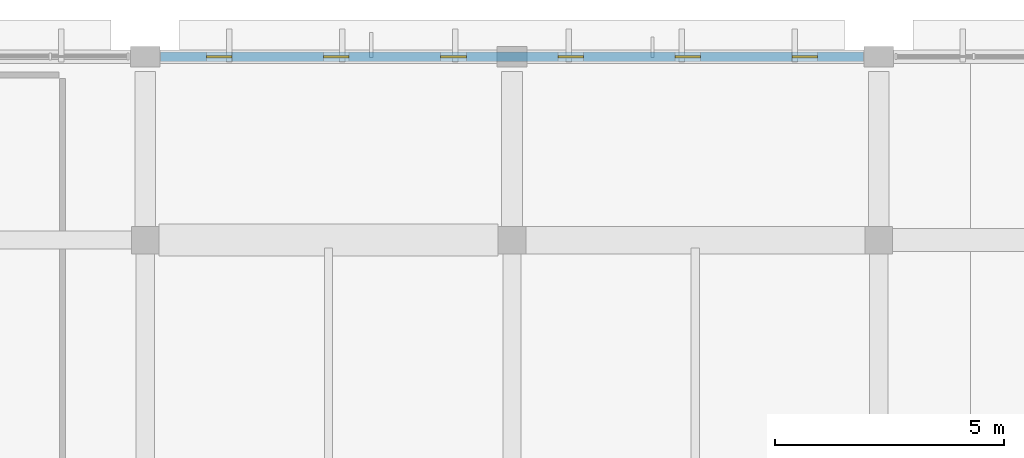
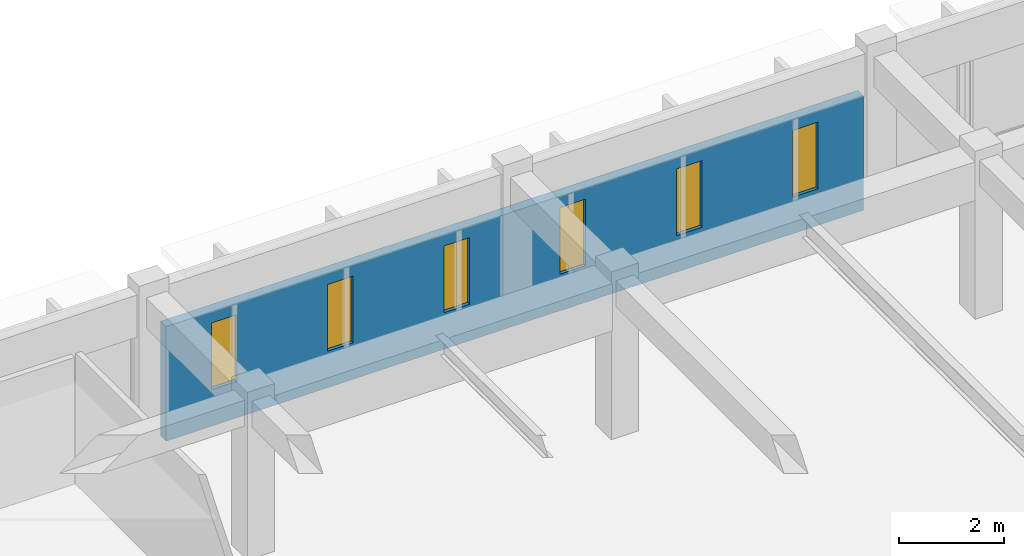
# One storey, part 68 of 98: 6 windows, 1 wall, 6 openings.
"""IFC4 building model written with IfcOpenShell, lengths in metres."""

import ifcopenshell
import ifcopenshell.guid

model = None  # the IFC model being written
_history = None  # IfcOwnerHistory: only IFC2X3 demands one
_inside = {}  # id of a spatial element -> (the spatial element, [elements in it])
_under = {}  # id of a project, library or spatial element -> (it, [spatial elements below it])
_declared = {}  # id of a project -> (the project, [libraries it declares])
_typed = {}  # id of a type object -> (the type object, [elements of that type])
_made_of = {}  # id of a material, layer set ... -> (it, [elements and type objects made of it])


def new_model(schema):
    """Start an empty IFC model of exactly this schema.

    Asked for "IFC4X3", IfcOpenShell would pick the latest addendum, in which some entities
    have other attributes; the version numbers below select the first issue.
    IFC2X3 requires an IfcOwnerHistory on every rooted entity: one is made here for all.
    """
    global model, _history
    if schema == "IFC4X3":
        model = ifcopenshell.file(schema_version=(4, 3, 0, 0))
    else:
        model = ifcopenshell.file(schema=schema)
    _inside.clear()
    _under.clear()
    _declared.clear()
    _typed.clear()
    _made_of.clear()
    _history = None
    if model.schema == "IFC2X3":
        org = make("IfcOrganization", Name="unknown")
        user = make(
            "IfcPersonAndOrganization",
            ThePerson=make("IfcPerson", FamilyName="unknown"),
            TheOrganization=org,
        )
        app = make(
            "IfcApplication",
            ApplicationDeveloper=org,
            Version="unknown",
            ApplicationFullName="unknown",
            ApplicationIdentifier="unknown",
        )
        _history = make(
            "IfcOwnerHistory",
            OwningUser=user,
            OwningApplication=app,
            ChangeAction="ADDED",
            CreationDate=0,
        )
    return model


def make(cls, **values):
    """One entity of the class cls with the attributes given. An attribute that is None is left unset."""
    return model.create_entity(
        cls, **{name: value for name, value in values.items() if value is not None}
    )


def rooted(cls, **values):
    """An entity with a GlobalId (a new one), such as an element, a storey or a relation."""
    return make(cls, GlobalId=ifcopenshell.guid.new(), OwnerHistory=_history, **values)


def si_unit(unit_type, name, prefix=None):
    """IfcSIUnit, for example si_unit("LENGTHUNIT", "METRE", prefix="MILLI")."""
    return make("IfcSIUnit", UnitType=unit_type, Prefix=prefix, Name=name)


def assignment(units):
    """IfcUnitAssignment: the units of a project."""
    return None if units is None else make("IfcUnitAssignment", Units=units)


def point(xyz):
    """IfcCartesianPoint."""
    return None if xyz is None else make("IfcCartesianPoint", Coordinates=xyz)


def direction(xyz):
    """IfcDirection."""
    return None if xyz is None else make("IfcDirection", DirectionRatios=xyz)


def frame(location, z_axis=None, x_axis=None):
    """IfcAxis2Placement3D, a coordinate frame: its origin and axes. An axis left out is left unset."""
    return make(
        "IfcAxis2Placement3D",
        Location=point(location),
        Axis=direction(z_axis),
        RefDirection=direction(x_axis),
    )


def frame_2d(location, x_axis=None):
    """IfcAxis2Placement2D, a coordinate frame in the plane: its origin and x axis."""
    return make(
        "IfcAxis2Placement2D", Location=point(location), RefDirection=direction(x_axis)
    )


def origin():
    """The frame at (0, 0, 0) with its axes left unset."""
    return frame((0.0, 0.0, 0.0))


def place(relative_to, where):
    """IfcLocalPlacement: puts the frame where relative to a parent placement (None: the world)."""
    return make(
        "IfcLocalPlacement", PlacementRelTo=relative_to, RelativePlacement=where
    )


def context(
    kind, dimensions, precision=None, world=None, true_north=None, identifier=None
):
    """IfcGeometricRepresentationContext, for example the 3D "Model" context."""
    return make(
        "IfcGeometricRepresentationContext",
        ContextIdentifier=identifier,
        ContextType=kind,
        CoordinateSpaceDimension=dimensions,
        Precision=precision,
        WorldCoordinateSystem=world,
        TrueNorth=true_north,
    )


def subcontext(parent, identifier, kind, view, scale=None):
    """IfcGeometricRepresentationSubContext, for example "Body" below "Model"."""
    return make(
        "IfcGeometricRepresentationSubContext",
        ContextIdentifier=identifier,
        ContextType=kind,
        ParentContext=parent,
        TargetScale=scale,
        TargetView=view,
    )


def project(units=None, contexts=None):
    """IfcProject with its units and contexts."""
    return rooted(
        "IfcProject",
        Name="project",
        RepresentationContexts=contexts,
        UnitsInContext=assignment(units),
    )


def spatial(cls, under=None, at=None, **own):
    """A site, building, storey or space (cls), placed at a placement, below another one or the project."""
    s = rooted(cls, ObjectPlacement=at, **own)
    if under is not None:
        _under.setdefault(under.id(), (under, []))[1].append(s)
    return s


def profile(cls, at=None, kind="AREA", **sizes):
    """A parametric profile (cls). Its sizes go by their IFC names, for example OverallWidth=200.0."""
    return make(cls, ProfileType=kind, Position=at, **sizes)


def rectangle(**sizes):
    """IfcRectangleProfileDef."""
    return profile("IfcRectangleProfileDef", **sizes)


def extrude(swept, where, along, depth):
    """IfcExtrudedAreaSolid: the profile swept, set in the frame where, extruded along a direction by depth."""
    return make(
        "IfcExtrudedAreaSolid",
        SweptArea=swept,
        Position=where,
        ExtrudedDirection=direction(along),
        Depth=depth,
    )


def shape(context_of_items, identifier, shape_type, items):
    """IfcShapeRepresentation: the items that make up one representation, for example the "Body"."""
    return make(
        "IfcShapeRepresentation",
        ContextOfItems=context_of_items,
        RepresentationIdentifier=identifier,
        RepresentationType=shape_type,
        Items=items,
    )


def material(Name=None, Category=None):
    """IfcMaterial."""
    return make("IfcMaterial", Name=Name, Category=Category)


def layer(
    of_material, thickness, ventilated=None, Name=None, Category=None, Priority=None
):
    """IfcMaterialLayer: one layer of a wall or slab, of a material (None: an air gap)."""
    return make(
        "IfcMaterialLayer",
        Material=of_material,
        LayerThickness=thickness,
        IsVentilated=ventilated,
        Name=Name,
        Category=Category,
        Priority=Priority,
    )


def layer_set(layers, Name=None):
    """IfcMaterialLayerSet."""
    return make("IfcMaterialLayerSet", MaterialLayers=layers, LayerSetName=Name)


def made_of(thing, what):
    """Note that an element or type object is made of a material, layer set ...; save() writes the relation."""
    if what is not None:
        _made_of.setdefault(what.id(), (what, []))[1].append(thing)
    return thing


def type_object(cls, material=None, **own):
    """A type object (cls), such as IfcWallType, which elements share."""
    return made_of(rooted(cls, **own), material)


def element(
    cls,
    number,
    at=None,
    inside=None,
    cuts=None,
    type_object=None,
    material=None,
    context=None,
    identifier="Body",
    shape_type=None,
    held_by="IfcProductDefinitionShape",
    body=None,
    shapes=None,
    **own,
):
    """One element of the class cls, such as IfcWall. Its Tag is "e" and its number.

    at: its placement. inside: the storey or other place that contains it. cuts: it is an
    opening in that element (IfcRelVoidsElement). A single representation is given by context,
    identifier, shape_type and body (its items); several are given by shapes. held_by: the class
    of the entity that holds the representations. save() writes the other relations.
    """
    e = rooted(cls, Tag="e%d" % number, ObjectPlacement=at, **own)
    if body is not None:
        shapes = [shape(context, identifier, shape_type, body)]
    if shapes is not None:
        e.Representation = make(held_by, Representations=shapes)
    if inside is not None:
        _inside.setdefault(inside.id(), (inside, []))[1].append(e)
    if cuts is not None:
        rooted(
            "IfcRelVoidsElement", RelatingBuildingElement=cuts, RelatedOpeningElement=e
        )
    if type_object is not None:
        _typed.setdefault(type_object.id(), (type_object, []))[1].append(e)
    return made_of(e, material)


def fill(opening, filler):
    """IfcRelFillsElement: the door or window that sits in an opening."""
    return rooted(
        "IfcRelFillsElement",
        RelatingOpeningElement=opening,
        RelatedBuildingElement=filler,
    )


def aggregate(whole, parts):
    """IfcRelAggregates: a whole, such as a stair, and the parts it consists of."""
    return rooted("IfcRelAggregates", RelatingObject=whole, RelatedObjects=parts)


def save(model, path):
    """Write the relations noted so far, then the file.

    IfcRelAggregates (storeys below a building ...), IfcRelContainedInSpatialStructure (elements
    in a storey), IfcRelDefinesByType, IfcRelAssociatesMaterial and IfcRelDeclares: one each for
    every whole, place, type object, material and project.
    """
    for whole, parts in _under.values():
        aggregate(whole, parts)
    for where, things in _inside.values():
        rooted(
            "IfcRelContainedInSpatialStructure",
            RelatedElements=things,
            RelatingStructure=where,
        )
    for kind, things in _typed.values():
        rooted("IfcRelDefinesByType", RelatedObjects=things, RelatingType=kind)
    for what, things in _made_of.values():
        rooted("IfcRelAssociatesMaterial", RelatedObjects=things, RelatingMaterial=what)
    for by, libraries in _declared.values():
        rooted("IfcRelDeclares", RelatingContext=by, RelatedDefinitions=libraries)
    model.write(path)


model = new_model("IFC4")

# Units and contexts
model_context = context("Model", 3, precision=1e-05, world=origin(), true_north=direction((0.0, 1.0)))
body_context = subcontext(model_context, "Body", "Model", "MODEL_VIEW")
ifc_project = project(units=[si_unit("LENGTHUNIT", "METRE"), si_unit("AREAUNIT", "SQUARE_METRE"), si_unit("VOLUMEUNIT", "CUBIC_METRE"), si_unit("PLANEANGLEUNIT", "RADIAN"), si_unit("MASSUNIT", "GRAM", prefix="KILO")], contexts=[model_context])

# Site, building, storey
site_placement = place(None, origin())
site = spatial("IfcSite", under=ifc_project, at=site_placement, CompositionType="ELEMENT")
building_placement = place(site_placement, origin())
building = spatial("IfcBuilding", under=site, at=building_placement, Name="Larkveld Mobility Hub", CompositionType="ELEMENT")
storey_placement = place(building_placement, frame((0.0, 0.0, 4.5)))
storey = spatial("IfcBuildingStorey", under=building, at=storey_placement, Name="L01", CompositionType="ELEMENT", Elevation=4.5)

# Wall, openings, windows
ifc_material_1 = material(Name="Glazed architectural ceramic masonry 20 MPa", Category="masonry")
ifc_layer = layer(ifc_material_1, 0.2099609375, Name="Glazed architectural ceramic masonry 20 MPa", Category="masonry")
ifc_layer_set = layer_set([ifc_layer], Name="Glazed architectural ceramic masonry 20 MPa")
wall_type = type_object("IfcWallType", Name="WL-COB-210", PredefinedType="USERDEFINED", material=ifc_layer_set)
wall_placement = place(storey_placement, frame((63.6650390625, 126.0, 0.0), z_axis=(0.0, 0.0, 1.0), x_axis=(-1.0, 0.0, 0.0)))
wall = element("IfcWall", 1, at=wall_placement, inside=storey, type_object=wall_type, Name="Bicycle Hall Ceramic Cobogo Screen L01-0188", ObjectType="CERAMIC COBOGO SCREEN", PredefinedType="USERDEFINED", context=body_context, shape_type="SweptSolid", body=[
    extrude(rectangle(XDim=15.330078125, YDim=0.2099609375, at=frame_2d((7.6650390625, 0.0))), origin(), (0.0, 0.0, 1.0), 2.6650390625),
])
opening_1_placement = place(wall_placement, frame((0.9970703125, 0.0, 0.85009765625)))
opening_1 = element("IfcOpeningElement", 2, at=opening_1_placement, cuts=wall, Name="Opening W04", PredefinedType="OPENING", context=body_context, shape_type="SweptSolid", body=[
    extrude(rectangle(XDim=0.56005859375, YDim=1.550048828125, at=frame_2d((0.280029296875, 0.77490234375))), frame((0.0, 0.114990234375, 0.0), z_axis=(0.0, -1.0, 0.0), x_axis=(1.0, 0.0, 0.0)), (0.0, 0.0, 1.0), 0.22998046875),
])
opening_2_placement = place(wall_placement, frame((3.552001953125, 0.0, 0.85009765625)))
opening_2 = element("IfcOpeningElement", 3, at=opening_2_placement, cuts=wall, Name="Opening W04", PredefinedType="OPENING", context=body_context, shape_type="SweptSolid", body=[
    extrude(rectangle(XDim=0.56005859375, YDim=1.550048828125, at=frame_2d((0.280029296875, 0.77490234375))), frame((0.0, 0.114990234375, 0.0), z_axis=(0.0, -1.0, 0.0), x_axis=(1.0, 0.0, 0.0)), (0.0, 0.0, 1.0), 0.22998046875),
])
opening_3_placement = place(wall_placement, frame((6.10693359375, 0.0, 0.85009765625)))
opening_3 = element("IfcOpeningElement", 4, at=opening_3_placement, cuts=wall, Name="Opening W04", PredefinedType="OPENING", context=body_context, shape_type="SweptSolid", body=[
    extrude(rectangle(XDim=0.56005859375, YDim=1.550048828125, at=frame_2d((0.280029296875, 0.77490234375))), frame((0.0, 0.114990234375, 0.0), z_axis=(0.0, -1.0, 0.0), x_axis=(1.0, 0.0, 0.0)), (0.0, 0.0, 1.0), 0.22998046875),
])
opening_4_placement = place(wall_placement, frame((8.662109375, 0.0, 0.85009765625)))
opening_4 = element("IfcOpeningElement", 5, at=opening_4_placement, cuts=wall, Name="Opening W04", PredefinedType="OPENING", context=body_context, shape_type="SweptSolid", body=[
    extrude(rectangle(XDim=0.56005859375, YDim=1.550048828125, at=frame_2d((0.280029296875, 0.77490234375))), frame((0.0, 0.114990234375, 0.0), z_axis=(0.0, -1.0, 0.0), x_axis=(1.0, 0.0, 0.0)), (0.0, 0.0, 1.0), 0.22998046875),
])
opening_5_placement = place(wall_placement, frame((11.217041015625, 0.0, 0.85009765625)))
opening_5 = element("IfcOpeningElement", 6, at=opening_5_placement, cuts=wall, Name="Opening W04", PredefinedType="OPENING", context=body_context, shape_type="SweptSolid", body=[
    extrude(rectangle(XDim=0.56005859375, YDim=1.550048828125, at=frame_2d((0.280029296875, 0.77490234375))), frame((0.0, 0.114990234375, 0.0), z_axis=(0.0, -1.0, 0.0), x_axis=(1.0, 0.0, 0.0)), (0.0, 0.0, 1.0), 0.22998046875),
])
opening_6_placement = place(wall_placement, frame((13.77197265625, 0.0, 0.85009765625)))
opening_6 = element("IfcOpeningElement", 7, at=opening_6_placement, cuts=wall, Name="Opening W04", PredefinedType="OPENING", context=body_context, shape_type="SweptSolid", body=[
    extrude(rectangle(XDim=0.56005859375, YDim=1.550048828125, at=frame_2d((0.280029296875, 0.77490234375))), frame((0.0, 0.114990234375, 0.0), z_axis=(0.0, -1.0, 0.0), x_axis=(1.0, 0.0, 0.0)), (0.0, 0.0, 1.0), 0.22998046875),
])
ifc_material_2 = material(Name="Extruded aluminium cobogo vent frame", Category="aluminium")
window_type = type_object("IfcWindowType", Name="WN-VENT-04", PartitioningType="SINGLE_PANEL", PredefinedType="WINDOW", material=ifc_material_2)
window_1_placement = place(opening_1_placement, origin())
window_1 = element("IfcWindow", 8, at=window_1_placement, inside=storey, type_object=window_type, Name="Window W04 (0879)", OverallHeight=1.550048828125, OverallWidth=0.56005859375, PartitioningType="SINGLE_PANEL", PredefinedType="WINDOW", context=body_context, shape_type="SweptSolid", body=[
    extrude(rectangle(XDim=0.56005859375, YDim=1.550048828125, at=frame_2d((0.280029296875, 0.77490234375))), frame((0.0, 0.030029296875, 0.0), z_axis=(0.0, -1.0, 0.0), x_axis=(1.0, 0.0, 0.0)), (0.0, 0.0, 1.0), 0.06005859375),
])
fill(opening_1, window_1)
window_2_placement = place(opening_2_placement, origin())
window_2 = element("IfcWindow", 9, at=window_2_placement, inside=storey, type_object=window_type, Name="Window W04 (0880)", OverallHeight=1.550048828125, OverallWidth=0.56005859375, PartitioningType="SINGLE_PANEL", PredefinedType="WINDOW", context=body_context, shape_type="SweptSolid", body=[
    extrude(rectangle(XDim=0.56005859375, YDim=1.550048828125, at=frame_2d((0.280029296875, 0.77490234375))), frame((0.0, 0.030029296875, 0.0), z_axis=(0.0, -1.0, 0.0), x_axis=(1.0, 0.0, 0.0)), (0.0, 0.0, 1.0), 0.06005859375),
])
fill(opening_2, window_2)
window_3_placement = place(opening_3_placement, origin())
window_3 = element("IfcWindow", 10, at=window_3_placement, inside=storey, type_object=window_type, Name="Window W04 (0881)", OverallHeight=1.550048828125, OverallWidth=0.56005859375, PartitioningType="SINGLE_PANEL", PredefinedType="WINDOW", context=body_context, shape_type="SweptSolid", body=[
    extrude(rectangle(XDim=0.56005859375, YDim=1.550048828125, at=frame_2d((0.280029296875, 0.77490234375))), frame((0.0, 0.030029296875, 0.0), z_axis=(0.0, -1.0, 0.0), x_axis=(1.0, 0.0, 0.0)), (0.0, 0.0, 1.0), 0.06005859375),
])
fill(opening_3, window_3)
window_4_placement = place(opening_4_placement, origin())
window_4 = element("IfcWindow", 11, at=window_4_placement, inside=storey, type_object=window_type, Name="Window W04 (0882)", OverallHeight=1.550048828125, OverallWidth=0.56005859375, PartitioningType="SINGLE_PANEL", PredefinedType="WINDOW", context=body_context, shape_type="SweptSolid", body=[
    extrude(rectangle(XDim=0.56005859375, YDim=1.550048828125, at=frame_2d((0.280029296875, 0.77490234375))), frame((0.0, 0.030029296875, 0.0), z_axis=(0.0, -1.0, 0.0), x_axis=(1.0, 0.0, 0.0)), (0.0, 0.0, 1.0), 0.06005859375),
])
fill(opening_4, window_4)
window_5_placement = place(opening_5_placement, origin())
window_5 = element("IfcWindow", 12, at=window_5_placement, inside=storey, type_object=window_type, Name="Window W04 (0883)", OverallHeight=1.550048828125, OverallWidth=0.56005859375, PartitioningType="SINGLE_PANEL", PredefinedType="WINDOW", context=body_context, shape_type="SweptSolid", body=[
    extrude(rectangle(XDim=0.56005859375, YDim=1.550048828125, at=frame_2d((0.280029296875, 0.77490234375))), frame((0.0, 0.030029296875, 0.0), z_axis=(0.0, -1.0, 0.0), x_axis=(1.0, 0.0, 0.0)), (0.0, 0.0, 1.0), 0.06005859375),
])
fill(opening_5, window_5)
window_6_placement = place(opening_6_placement, origin())
window_6 = element("IfcWindow", 13, at=window_6_placement, inside=storey, type_object=window_type, Name="Window W04 (0884)", OverallHeight=1.550048828125, OverallWidth=0.56005859375, PartitioningType="SINGLE_PANEL", PredefinedType="WINDOW", context=body_context, shape_type="SweptSolid", body=[
    extrude(rectangle(XDim=0.56005859375, YDim=1.550048828125, at=frame_2d((0.280029296875, 0.77490234375))), frame((0.0, 0.030029296875, 0.0), z_axis=(0.0, -1.0, 0.0), x_axis=(1.0, 0.0, 0.0)), (0.0, 0.0, 1.0), 0.06005859375),
])
fill(opening_6, window_6)

save(model, "model.ifc")
